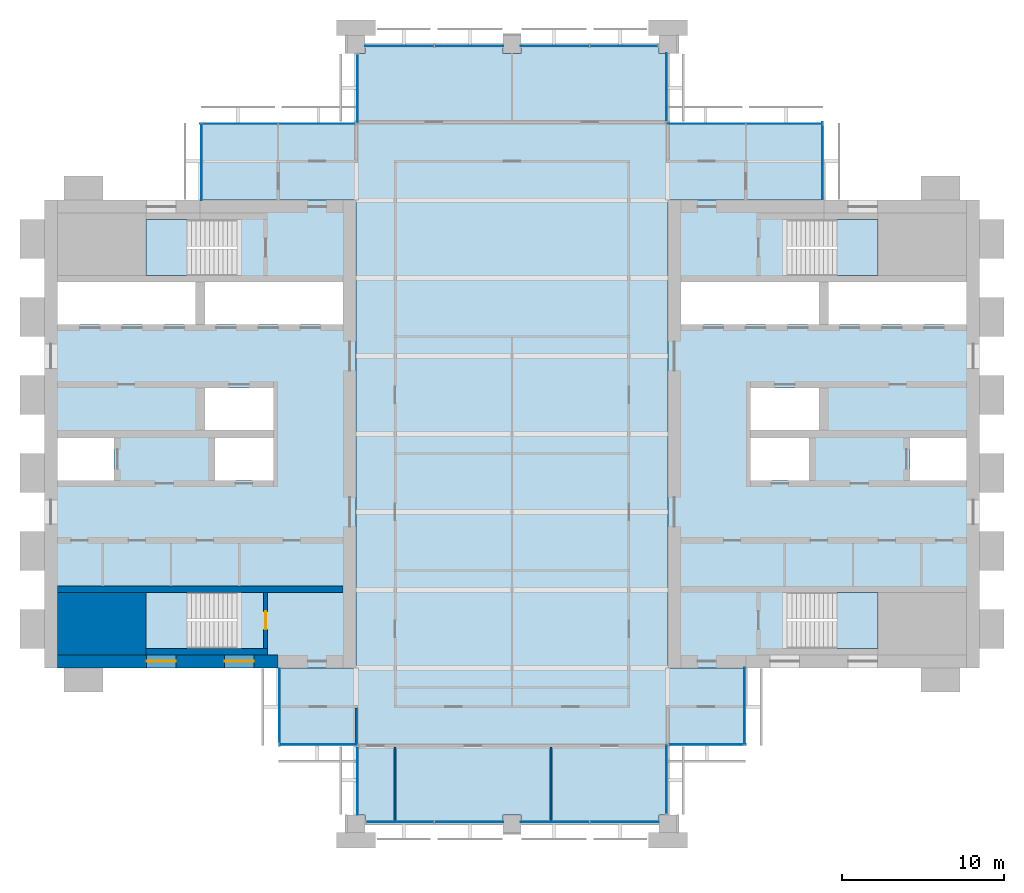
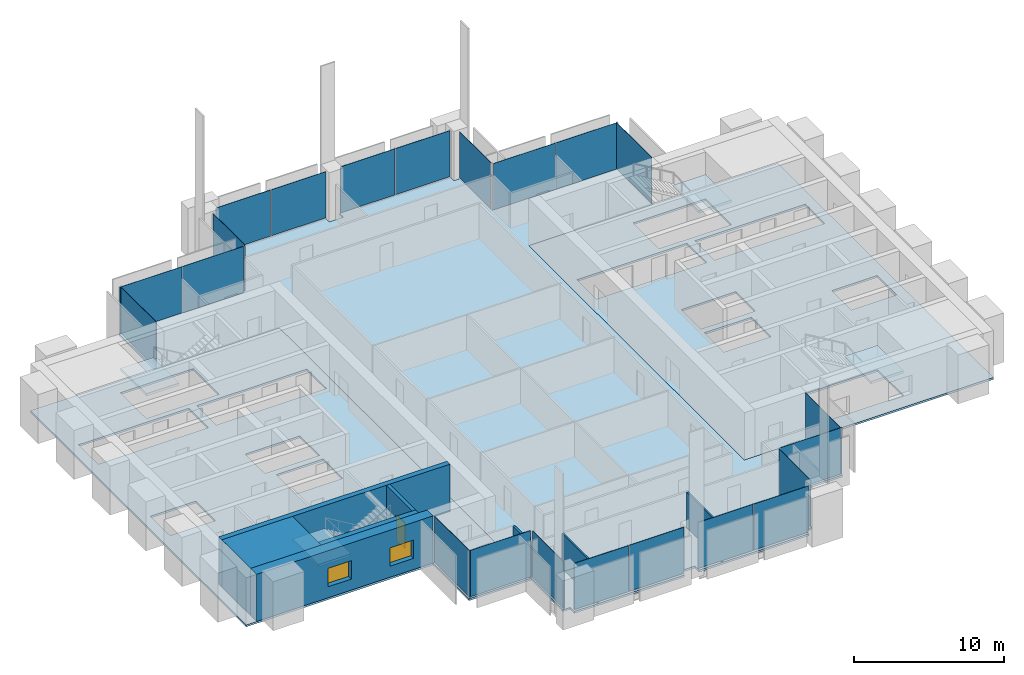
# One storey, part 7 of 13: 22 plates, 8 walls, 7 slabs, 2 windows, 1 door, 3 openings, 18 elements without a shape of their own.
"""IFC4 building model written with IfcOpenShell, lengths in metres."""

from ifc_helpers import new_model, si_unit, direction, frame, frame_2d, origin, origin_2d, place, context, subcontext, project, spatial, polyline, rectangle, outline, extrude, material, layer, layer_set, type_object, element, fill, aggregate, save


model = new_model("IFC4")

# Units and contexts
model_context = context("Model", 3, precision=1e-05, world=origin(), true_north=direction((0.0, 1.0)))
body_context = subcontext(model_context, "Body", "Model", "MODEL_VIEW")
ifc_project = project(units=[si_unit("LENGTHUNIT", "METRE"), si_unit("AREAUNIT", "SQUARE_METRE"), si_unit("VOLUMEUNIT", "CUBIC_METRE"), si_unit("PLANEANGLEUNIT", "RADIAN"), si_unit("MASSUNIT", "GRAM", prefix="KILO")], contexts=[model_context])

# Site, building, storey
site_placement = place(None, origin())
site = spatial("IfcSite", under=ifc_project, at=site_placement, CompositionType="ELEMENT")
building_placement = place(site_placement, origin())
building = spatial("IfcBuilding", under=site, at=building_placement, Name="Baori Bourse Tower", CompositionType="ELEMENT")
storey_placement = place(building_placement, frame((0.0, 0.0, 237.199951171875)))
storey = spatial("IfcBuildingStorey", under=building, at=storey_placement, Name="L52", CompositionType="ELEMENT", Elevation=237.199951171875)

# Curtain wall, plate
ifc_material_1 = material(Name="Pale anodised aluminium", Category="aluminium")
curtain_wall_type_1 = type_object("IfcCurtainWallType", Name="CW2 Curtain wall", PredefinedType="NOTDEFINED", material=ifc_material_1)
curtain_wall_1_placement = place(storey_placement, origin())
curtain_wall_1 = element("IfcCurtainWall", 1, at=curtain_wall_1_placement, inside=storey, type_object=curtain_wall_type_1, Name="Curtain wall CW2 L52 1", PredefinedType="NOTDEFINED")
ifc_material_2 = material(Name="Clear glass", Category="glass")
ifc_layer_1 = layer(ifc_material_2, 0.030029296875)
ifc_layer_set_1 = layer_set([ifc_layer_1], Name="CW2 Curtain wall panel")
plate_type_1 = type_object("IfcPlateType", Name="CW2 Curtain wall panel", PredefinedType="CURTAIN_PANEL", material=ifc_layer_set_1)
plate_1_placement = place(storey_placement, frame((47.909912109375, 40.827392578125, 0.070068359375), z_axis=(0.0, 0.0, 1.0), x_axis=(0.0, 1.0, 0.0)))
plate_1 = element("IfcPlate", 2, at=plate_1_placement, type_object=plate_type_1, Name="Curtain wall CW2 panel", PredefinedType="CURTAIN_PANEL", context=body_context, shape_type="SweptSolid", body=[
    extrude(rectangle(XDim=4.7451171875, YDim=0.030029296875, at=origin_2d()), origin(), (0.0, 0.0, 1.0), 3.77001953125),
])
aggregate(curtain_wall_1, [plate_1])

# Curtain wall, plates
curtain_wall_2_placement = place(storey_placement, origin())
curtain_wall_2 = element("IfcCurtainWall", 3, at=curtain_wall_2_placement, inside=storey, type_object=curtain_wall_type_1, Name="Curtain wall CW2 L52 2", PredefinedType="NOTDEFINED")
plate_2_placement = place(storey_placement, frame((45.586181640625, 43.110107421875, 0.070068359375), z_axis=(0.0, 0.0, 1.0), x_axis=(-1.0, 0.0, 0.0)))
plate_2 = element("IfcPlate", 4, at=plate_2_placement, type_object=plate_type_1, Name="Curtain wall CW2 panel", PredefinedType="CURTAIN_PANEL", context=body_context, shape_type="SweptSolid", body=[
    extrude(rectangle(XDim=4.717529296875, YDim=0.030029296875, at=origin_2d()), origin(), (0.0, 0.0, 1.0), 3.77001953125),
])
plate_3_placement = place(storey_placement, frame((40.7861328125, 43.110107421875, 0.070068359375), z_axis=(0.0, 0.0, 1.0), x_axis=(-1.0, 0.0, 0.0)))
plate_3 = element("IfcPlate", 5, at=plate_3_placement, type_object=plate_type_1, Name="Curtain wall CW2 panel", PredefinedType="CURTAIN_PANEL", context=body_context, shape_type="SweptSolid", body=[
    extrude(rectangle(XDim=4.7724609375, YDim=0.030029296875, at=origin_2d()), origin(), (0.0, 0.0, 1.0), 3.77001953125),
])
aggregate(curtain_wall_2, [plate_2, plate_3])

# Curtain wall, plate
curtain_wall_3_placement = place(storey_placement, origin())
curtain_wall_3 = element("IfcCurtainWall", 6, at=curtain_wall_3_placement, inside=storey, type_object=curtain_wall_type_1, Name="Curtain wall CW2 L52 3", PredefinedType="NOTDEFINED")
plate_4_placement = place(storey_placement, frame((38.31005859375, 45.3525390625, 0.070068359375), z_axis=(0.0, 0.0, 1.0), x_axis=(0.0, 1.0, 0.0)))
plate_4 = element("IfcPlate", 7, at=plate_4_placement, type_object=plate_type_1, Name="Curtain wall CW2 panel", PredefinedType="CURTAIN_PANEL", context=body_context, shape_type="SweptSolid", body=[
    extrude(rectangle(XDim=4.195068359375, YDim=0.030029296875, at=origin_2d()), origin(), (0.0, 0.0, 1.0), 3.77001953125),
])
aggregate(curtain_wall_3, [plate_4])

curtain_wall_4_placement = place(storey_placement, origin())
curtain_wall_4 = element("IfcCurtainWall", 8, at=curtain_wall_4_placement, inside=storey, type_object=curtain_wall_type_1, Name="Curtain wall CW2 L52 5", PredefinedType="NOTDEFINED")
plate_5_placement = place(storey_placement, frame((19.2900390625, 45.297607421875, 0.070068359375), z_axis=(0.0, 0.0, 1.0), x_axis=(0.0, -1.0, 0.0)))
plate_5 = element("IfcPlate", 9, at=plate_5_placement, type_object=plate_type_1, Name="Curtain wall CW2 panel", PredefinedType="CURTAIN_PANEL", context=body_context, shape_type="SweptSolid", body=[
    extrude(rectangle(XDim=4.195068359375, YDim=0.030029296875, at=origin_2d()), origin(), (0.0, 0.0, 1.0), 3.77001953125),
])
aggregate(curtain_wall_4, [plate_5])

# Curtain wall, plates
curtain_wall_5_placement = place(storey_placement, origin())
curtain_wall_5 = element("IfcCurtainWall", 10, at=curtain_wall_5_placement, inside=storey, type_object=curtain_wall_type_1, Name="Curtain wall CW2 L52 6", PredefinedType="NOTDEFINED")
plate_6_placement = place(storey_placement, frame((16.7861328125, 43.110107421875, 0.070068359375), z_axis=(0.0, 0.0, 1.0), x_axis=(-1.0, 0.0, 0.0)))
plate_6 = element("IfcPlate", 11, at=plate_6_placement, type_object=plate_type_1, Name="Curtain wall CW2 panel", PredefinedType="CURTAIN_PANEL", context=body_context, shape_type="SweptSolid", body=[
    extrude(rectangle(XDim=4.717529296875, YDim=0.030029296875, at=origin_2d()), origin(), (0.0, 0.0, 1.0), 3.77001953125),
])
plate_7_placement = place(storey_placement, frame((11.986328125, 43.110107421875, 0.070068359375), z_axis=(0.0, 0.0, 1.0), x_axis=(-1.0, 0.0, 0.0)))
plate_7 = element("IfcPlate", 12, at=plate_7_placement, type_object=plate_type_1, Name="Curtain wall CW2 panel", PredefinedType="CURTAIN_PANEL", context=body_context, shape_type="SweptSolid", body=[
    extrude(rectangle(XDim=4.7724609375, YDim=0.030029296875, at=origin_2d()), origin(), (0.0, 0.0, 1.0), 3.77001953125),
])
aggregate(curtain_wall_5, [plate_6, plate_7])

# Curtain wall, plate
curtain_wall_6_placement = place(storey_placement, origin())
curtain_wall_6 = element("IfcCurtainWall", 13, at=curtain_wall_6_placement, inside=storey, type_object=curtain_wall_type_1, Name="Curtain wall CW2 L52 7", PredefinedType="NOTDEFINED")
plate_8_placement = place(storey_placement, frame((9.68994140625, 40.7724609375, 0.070068359375), z_axis=(0.0, 0.0, 1.0), x_axis=(0.0, -1.0, 0.0)))
plate_8 = element("IfcPlate", 14, at=plate_8_placement, type_object=plate_type_1, Name="Curtain wall CW2 panel", PredefinedType="CURTAIN_PANEL", context=body_context, shape_type="SweptSolid", body=[
    extrude(rectangle(XDim=4.7451171875, YDim=0.030029296875, at=origin_2d()), origin(), (0.0, 0.0, 1.0), 3.77001953125),
])
aggregate(curtain_wall_6, [plate_8])

curtain_wall_7_placement = place(storey_placement, origin())
curtain_wall_7 = element("IfcCurtainWall", 15, at=curtain_wall_7_placement, inside=storey, type_object=curtain_wall_type_1, Name="Curtain wall CW2 L52 8", PredefinedType="NOTDEFINED")
plate_9_placement = place(storey_placement, frame((14.489990234375, 7.172607421875, 0.070068359375), z_axis=(0.0, 0.0, 1.0), x_axis=(0.0, -1.0, 0.0)))
plate_9 = element("IfcPlate", 16, at=plate_9_placement, type_object=plate_type_1, Name="Curtain wall CW2 panel", PredefinedType="CURTAIN_PANEL", context=body_context, shape_type="SweptSolid", body=[
    extrude(rectangle(XDim=4.7451171875, YDim=0.030029296875, at=origin_2d()), origin(), (0.0, 0.0, 1.0), 3.77001953125),
])
aggregate(curtain_wall_7, [plate_9])

curtain_wall_8_placement = place(storey_placement, origin())
curtain_wall_8 = element("IfcCurtainWall", 17, at=curtain_wall_8_placement, inside=storey, type_object=curtain_wall_type_1, Name="Curtain wall CW2 L52 9", PredefinedType="NOTDEFINED")
plate_10_placement = place(storey_placement, frame((16.827392578125, 4.889892578125, 0.070068359375), z_axis=(0.0, 0.0, 1.0), x_axis=(1.0, 0.0, 0.0)))
plate_10 = element("IfcPlate", 18, at=plate_10_placement, type_object=plate_type_1, Name="Curtain wall CW2 panel", PredefinedType="CURTAIN_PANEL", context=body_context, shape_type="SweptSolid", body=[
    extrude(rectangle(XDim=4.7451171875, YDim=0.030029296875, at=origin_2d()), origin(), (0.0, 0.0, 1.0), 3.77001953125),
])
aggregate(curtain_wall_8, [plate_10])

curtain_wall_9_placement = place(storey_placement, origin())
curtain_wall_9 = element("IfcCurtainWall", 19, at=curtain_wall_9_placement, inside=storey, type_object=curtain_wall_type_1, Name="Curtain wall CW2 L52 10", PredefinedType="NOTDEFINED")
plate_11_placement = place(storey_placement, frame((19.2900390625, 2.6474609375, 0.070068359375), z_axis=(0.0, 0.0, 1.0), x_axis=(0.0, -1.0, 0.0)))
plate_11 = element("IfcPlate", 20, at=plate_11_placement, type_object=plate_type_1, Name="Curtain wall CW2 panel", PredefinedType="CURTAIN_PANEL", context=body_context, shape_type="SweptSolid", body=[
    extrude(rectangle(XDim=4.195068359375, YDim=0.030029296875, at=origin_2d()), origin(), (0.0, 0.0, 1.0), 3.77001953125),
])
aggregate(curtain_wall_9, [plate_11])

curtain_wall_10_placement = place(storey_placement, origin())
curtain_wall_10 = element("IfcCurtainWall", 21, at=curtain_wall_10_placement, inside=storey, type_object=curtain_wall_type_1, Name="Curtain wall CW2 L52 12", PredefinedType="NOTDEFINED")
plate_12_placement = place(storey_placement, frame((38.31005859375, 2.702392578125, 0.070068359375), z_axis=(0.0, 0.0, 1.0), x_axis=(0.0, 1.0, 0.0)))
plate_12 = element("IfcPlate", 22, at=plate_12_placement, type_object=plate_type_1, Name="Curtain wall CW2 panel", PredefinedType="CURTAIN_PANEL", context=body_context, shape_type="SweptSolid", body=[
    extrude(rectangle(XDim=4.195068359375, YDim=0.030029296875, at=origin_2d()), origin(), (0.0, 0.0, 1.0), 3.77001953125),
])
aggregate(curtain_wall_10, [plate_12])

curtain_wall_11_placement = place(storey_placement, origin())
curtain_wall_11 = element("IfcCurtainWall", 23, at=curtain_wall_11_placement, inside=storey, type_object=curtain_wall_type_1, Name="Curtain wall CW2 L52 13", PredefinedType="NOTDEFINED")
plate_13_placement = place(storey_placement, frame((40.827392578125, 4.889892578125, 0.070068359375), z_axis=(0.0, 0.0, 1.0), x_axis=(1.0, 0.0, 0.0)))
plate_13 = element("IfcPlate", 24, at=plate_13_placement, type_object=plate_type_1, Name="Curtain wall CW2 panel", PredefinedType="CURTAIN_PANEL", context=body_context, shape_type="SweptSolid", body=[
    extrude(rectangle(XDim=4.7451171875, YDim=0.030029296875, at=origin_2d()), origin(), (0.0, 0.0, 1.0), 3.77001953125),
])
aggregate(curtain_wall_11, [plate_13])

curtain_wall_12_placement = place(storey_placement, origin())
curtain_wall_12 = element("IfcCurtainWall", 25, at=curtain_wall_12_placement, inside=storey, type_object=curtain_wall_type_1, Name="Curtain wall CW2 L52 14", PredefinedType="NOTDEFINED")
plate_14_placement = place(storey_placement, frame((43.110107421875, 7.2275390625, 0.070068359375), z_axis=(0.0, 0.0, 1.0), x_axis=(0.0, 1.0, 0.0)))
plate_14 = element("IfcPlate", 26, at=plate_14_placement, type_object=plate_type_1, Name="Curtain wall CW2 panel", PredefinedType="CURTAIN_PANEL", context=body_context, shape_type="SweptSolid", body=[
    extrude(rectangle(XDim=4.7451171875, YDim=0.030029296875, at=origin_2d()), origin(), (0.0, 0.0, 1.0), 3.77001953125),
])
aggregate(curtain_wall_12, [plate_14])

# Curtain wall, plates
ifc_material_3 = material(Name="Pale anodised aluminium", Category="aluminium")
curtain_wall_type_2 = type_object("IfcCurtainWallType", Name="CW5 Curtain wall", PredefinedType="NOTDEFINED", material=ifc_material_3)
curtain_wall_13_placement = place(storey_placement, origin())
curtain_wall_13 = element("IfcCurtainWall", 27, at=curtain_wall_13_placement, inside=storey, type_object=curtain_wall_type_2, Name="Curtain wall CW5 L52 4", PredefinedType="NOTDEFINED")
ifc_material_4 = material(Name="Clear glass", Category="glass")
ifc_layer_2 = layer(ifc_material_4, 0.035888671875)
ifc_layer_set_2 = layer_set([ifc_layer_2], Name="CW5 Curtain wall panel")
plate_type_2 = type_object("IfcPlateType", Name="CW5 Curtain wall panel", PredefinedType="CURTAIN_PANEL", material=ifc_layer_set_2)
plate_15_placement = place(storey_placement, frame((35.708740234375, 47.889892578125, 0.085205078125), z_axis=(0.0, 0.0, 1.0), x_axis=(-1.0, 0.0, 0.0)))
plate_15 = element("IfcPlate", 28, at=plate_15_placement, type_object=plate_type_2, Name="Curtain wall CW5 panel", PredefinedType="CURTAIN_PANEL", context=body_context, shape_type="SweptSolid", body=[
    extrude(rectangle(XDim=4.152587890625, YDim=0.035888671875, at=origin_2d()), origin(), (0.0, 0.0, 1.0), 3.7548828125),
])
plate_16_placement = place(storey_placement, frame((31.458740234375, 47.889892578125, 0.085205078125), z_axis=(0.0, 0.0, 1.0), x_axis=(-1.0, 0.0, 0.0)))
plate_16 = element("IfcPlate", 29, at=plate_16_placement, type_object=plate_type_2, Name="Curtain wall CW5 panel", PredefinedType="CURTAIN_PANEL", context=body_context, shape_type="SweptSolid", body=[
    extrude(rectangle(XDim=4.217529296875, YDim=0.035888671875, at=origin_2d()), origin(), (0.0, 0.0, 1.0), 3.7548828125),
])
plate_17_placement = place(storey_placement, frame((26.141357421875, 47.889892578125, 0.085205078125), z_axis=(0.0, 0.0, 1.0), x_axis=(-1.0, 0.0, 0.0)))
plate_17 = element("IfcPlate", 30, at=plate_17_placement, type_object=plate_type_2, Name="Curtain wall CW5 panel", PredefinedType="CURTAIN_PANEL", context=body_context, shape_type="SweptSolid", body=[
    extrude(rectangle(XDim=4.217529296875, YDim=0.035888671875, at=origin_2d()), origin(), (0.0, 0.0, 1.0), 3.7548828125),
])
plate_18_placement = place(storey_placement, frame((21.858642578125, 47.889892578125, 0.085205078125), z_axis=(0.0, 0.0, 1.0), x_axis=(-1.0, 0.0, 0.0)))
plate_18 = element("IfcPlate", 31, at=plate_18_placement, type_object=plate_type_2, Name="Curtain wall CW5 panel", PredefinedType="CURTAIN_PANEL", context=body_context, shape_type="SweptSolid", body=[
    extrude(rectangle(XDim=4.217529296875, YDim=0.035888671875, at=origin_2d()), origin(), (0.0, 0.0, 1.0), 3.7548828125),
])
aggregate(curtain_wall_13, [plate_15, plate_16, plate_17, plate_18])

curtain_wall_14_placement = place(storey_placement, origin())
curtain_wall_14 = element("IfcCurtainWall", 32, at=curtain_wall_14_placement, inside=storey, type_object=curtain_wall_type_2, Name="Curtain wall CW5 L52 11", PredefinedType="NOTDEFINED")
plate_19_placement = place(storey_placement, frame((21.891357421875, 0.110107421875, 0.085205078125), z_axis=(0.0, 0.0, 1.0), x_axis=(1.0, 0.0, 0.0)))
plate_19 = element("IfcPlate", 33, at=plate_19_placement, type_object=plate_type_2, Name="Curtain wall CW5 panel", PredefinedType="CURTAIN_PANEL", context=body_context, shape_type="SweptSolid", body=[
    extrude(rectangle(XDim=4.152587890625, YDim=0.035888671875, at=origin_2d()), origin(), (0.0, 0.0, 1.0), 3.7548828125),
])
plate_20_placement = place(storey_placement, frame((26.141357421875, 0.110107421875, 0.085205078125), z_axis=(0.0, 0.0, 1.0), x_axis=(1.0, 0.0, 0.0)))
plate_20 = element("IfcPlate", 34, at=plate_20_placement, type_object=plate_type_2, Name="Curtain wall CW5 panel", PredefinedType="CURTAIN_PANEL", context=body_context, shape_type="SweptSolid", body=[
    extrude(rectangle(XDim=4.217529296875, YDim=0.035888671875, at=origin_2d()), origin(), (0.0, 0.0, 1.0), 3.7548828125),
])
plate_21_placement = place(storey_placement, frame((31.458740234375, 0.110107421875, 0.085205078125), z_axis=(0.0, 0.0, 1.0), x_axis=(1.0, 0.0, 0.0)))
plate_21 = element("IfcPlate", 35, at=plate_21_placement, type_object=plate_type_2, Name="Curtain wall CW5 panel", PredefinedType="CURTAIN_PANEL", context=body_context, shape_type="SweptSolid", body=[
    extrude(rectangle(XDim=4.217529296875, YDim=0.035888671875, at=origin_2d()), origin(), (0.0, 0.0, 1.0), 3.7548828125),
])
plate_22_placement = place(storey_placement, frame((35.7412109375, 0.110107421875, 0.085205078125), z_axis=(0.0, 0.0, 1.0), x_axis=(1.0, 0.0, 0.0)))
plate_22 = element("IfcPlate", 36, at=plate_22_placement, type_object=plate_type_2, Name="Curtain wall CW5 panel", PredefinedType="CURTAIN_PANEL", context=body_context, shape_type="SweptSolid", body=[
    extrude(rectangle(XDim=4.217529296875, YDim=0.035888671875, at=origin_2d()), origin(), (0.0, 0.0, 1.0), 3.7548828125),
])
aggregate(curtain_wall_14, [plate_19, plate_20, plate_21, plate_22])

# Slabs
ifc_material_5 = material(Name="Concrete f'c 50 MPa", Category="concrete")
ifc_layer_3 = layer(ifc_material_5, 0.159912109375)
ifc_layer_set_3 = layer_set([ifc_layer_3], Name="Core slab 160")
slab_type_1 = type_object("IfcSlabType", Name="Core slab 160", PredefinedType="FLOOR", material=ifc_layer_set_3)
slab_1_placement = place(storey_placement, frame((0.0, 0.0, -0.159912109375)))
element("IfcSlab", 37, at=slab_1_placement, inside=storey, type_object=slab_type_1, Name="Core floor slab W01", PredefinedType="FLOOR", context=body_context, shape_type="SweptSolid", body=[
    extrude(outline(polyline([(19.199951171875, 38.39990234375), (0.0, 38.39990234375), (0.0, 9.60009765625), (19.199951171875, 9.60009765625), (19.199951171875, 38.39990234375)]), holes=[polyline([(9.89990234375, 33.35009765625), (18.39990234375, 33.35009765625), (18.39990234375, 30.75), (9.89990234375, 30.75), (9.89990234375, 33.35009765625)]), polyline([(10.5, 21.14990234375), (10.5, 23.75), (14.10009765625, 23.75), (14.10009765625, 21.14990234375), (10.5, 21.14990234375)]), polyline([(14.10009765625, 24.25), (9.89990234375, 24.25), (9.89990234375, 26.85009765625), (14.10009765625, 26.85009765625), (14.10009765625, 24.25)]), polyline([(6.25, 14.25), (11.84912109375, 14.25), (11.84912109375, 10.800048828125), (6.25, 10.800048828125), (6.25, 14.25)]), polyline([(11.84912109375, 37.199951171875), (11.84912109375, 33.75), (6.25, 33.75), (6.25, 37.199951171875), (11.84912109375, 37.199951171875)]), polyline([(0.800048828125, 30.75), (0.800048828125, 33.35009765625), (9.300048828125, 33.35009765625), (9.300048828125, 30.75), (0.800048828125, 30.75)]), polyline([(4.300048828125, 23.75), (4.300048828125, 21.14990234375), (0.800048828125, 21.14990234375), (0.800048828125, 23.75), (4.300048828125, 23.75)])]), origin(), (0.0, 0.0, 1.0), 0.159912109375),
])
slab_2_placement = place(storey_placement, frame((0.0, 0.0, -0.159912109375)))
element("IfcSlab", 38, at=slab_2_placement, inside=storey, type_object=slab_type_1, Name="Core floor slab E01", PredefinedType="FLOOR", context=body_context, shape_type="SweptSolid", body=[
    extrude(outline(polyline([(57.60009765625, 9.60009765625), (57.60009765625, 38.39990234375), (38.39990234375, 38.39990234375), (38.39990234375, 9.60009765625), (57.60009765625, 9.60009765625)]), holes=[polyline([(48.300048828125, 33.35009765625), (56.800048828125, 33.35009765625), (56.800048828125, 30.75), (48.300048828125, 30.75), (48.300048828125, 33.35009765625)]), polyline([(56.800048828125, 21.14990234375), (53.300048828125, 21.14990234375), (53.300048828125, 23.75), (56.800048828125, 23.75), (56.800048828125, 21.14990234375)]), polyline([(45.750732421875, 14.25), (51.35009765625, 14.25), (51.35009765625, 10.800048828125), (45.750732421875, 10.800048828125), (45.750732421875, 14.25)]), polyline([(51.35009765625, 37.199951171875), (51.35009765625, 33.75), (45.750732421875, 33.75), (45.750732421875, 37.199951171875), (51.35009765625, 37.199951171875)]), polyline([(43.5, 24.25), (43.5, 26.85009765625), (47.699951171875, 26.85009765625), (47.699951171875, 24.25), (43.5, 24.25)]), polyline([(47.699951171875, 33.35009765625), (47.699951171875, 30.75), (39.199951171875, 30.75), (39.199951171875, 33.35009765625), (47.699951171875, 33.35009765625)]), polyline([(43.5, 23.75), (47.10009765625, 23.75), (47.10009765625, 21.14990234375), (43.5, 21.14990234375), (43.5, 23.75)])]), origin(), (0.0, 0.0, 1.0), 0.159912109375),
])

# Stair, slab
ifc_material_6 = material(Name="Concrete f'c 50 MPa", Category="concrete")
stair_type = type_object("IfcStairType", Name="Core stair", PredefinedType="HALF_TURN_STAIR", material=ifc_material_6)
stair_1_placement = place(storey_placement, origin())
stair_1 = element("IfcStair", 39, at=stair_1_placement, inside=storey, type_object=stair_type, Name="L52 Stair WA", PredefinedType="HALF_TURN_STAIR")
ifc_material_7 = material(Name="Concrete f'c 50 MPa", Category="concrete")
slab_type_2 = type_object("IfcSlabType", Name="Core stair landing", PredefinedType="LANDING", material=ifc_material_7)
slab_3_placement = place(storey_placement, frame((0.0, 0.0, 1.800048828125)))
slab_3 = element("IfcSlab", 40, at=slab_3_placement, type_object=slab_type_2, Name="ST1 landing 1", PredefinedType="LANDING", context=body_context, shape_type="SweptSolid", body=[
    extrude(outline(polyline([(8.77001953125, 14.25), (6.25, 14.25), (6.25, 10.800048828125), (8.77001953125, 10.800048828125), (8.77001953125, 14.25)])), origin(), (0.0, 0.0, 1.0), 0.199951171875),
])
aggregate(stair_1, [slab_3])

stair_2_placement = place(storey_placement, origin())
stair_2 = element("IfcStair", 41, at=stair_2_placement, inside=storey, type_object=stair_type, Name="L52 Stair WB", PredefinedType="HALF_TURN_STAIR")
slab_4_placement = place(storey_placement, frame((0.0, 0.0, 1.800048828125)))
slab_4 = element("IfcSlab", 42, at=slab_4_placement, type_object=slab_type_2, Name="ST2 landing 1", PredefinedType="LANDING", context=body_context, shape_type="SweptSolid", body=[
    extrude(outline(polyline([(8.77001953125, 37.199951171875), (6.25, 37.199951171875), (6.25, 33.75), (8.77001953125, 33.75), (8.77001953125, 37.199951171875)])), origin(), (0.0, 0.0, 1.0), 0.199951171875),
])
aggregate(stair_2, [slab_4])

stair_3_placement = place(storey_placement, origin())
stair_3 = element("IfcStair", 43, at=stair_3_placement, inside=storey, type_object=stair_type, Name="L52 Stair EA", PredefinedType="HALF_TURN_STAIR")
slab_5_placement = place(storey_placement, frame((0.0, 0.0, 1.800048828125)))
slab_5 = element("IfcSlab", 44, at=slab_5_placement, type_object=slab_type_2, Name="ST3 landing 1", PredefinedType="LANDING", context=body_context, shape_type="SweptSolid", body=[
    extrude(outline(polyline([(48.830078125, 10.800048828125), (51.35009765625, 10.800048828125), (51.35009765625, 14.25), (48.830078125, 14.25), (48.830078125, 10.800048828125)])), origin(), (0.0, 0.0, 1.0), 0.199951171875),
])
aggregate(stair_3, [slab_5])

stair_4_placement = place(storey_placement, origin())
stair_4 = element("IfcStair", 45, at=stair_4_placement, inside=storey, type_object=stair_type, Name="L52 Stair EB", PredefinedType="HALF_TURN_STAIR")
slab_6_placement = place(storey_placement, frame((0.0, 0.0, 1.800048828125)))
slab_6 = element("IfcSlab", 46, at=slab_6_placement, type_object=slab_type_2, Name="ST4 landing 1", PredefinedType="LANDING", context=body_context, shape_type="SweptSolid", body=[
    extrude(outline(polyline([(48.830078125, 33.75), (51.35009765625, 33.75), (51.35009765625, 37.199951171875), (48.830078125, 37.199951171875), (48.830078125, 33.75)])), origin(), (0.0, 0.0, 1.0), 0.199951171875),
])
aggregate(stair_4, [slab_6])

# Slab
ifc_material_8 = material(Name="Concrete f'c 40 MPa", Category="concrete")
ifc_layer_4 = layer(ifc_material_8, 0.159912109375)
ifc_layer_set_4 = layer_set([ifc_layer_4], Name="Floor slab 160")
slab_type_3 = type_object("IfcSlabType", Name="Floor slab 160", PredefinedType="FLOOR", material=ifc_layer_set_4)
slab_7_placement = place(storey_placement, frame((0.0, 0.0, -0.159912109375)))
element("IfcSlab", 47, at=slab_7_placement, inside=storey, type_object=slab_type_3, Name="Floor slab L52", PredefinedType="FLOOR", context=body_context, shape_type="SweptSolid", body=[
    extrude(outline(polyline([(19.199951171875, 4.800048828125), (14.39990234375, 4.800048828125), (14.39990234375, 9.60009765625), (19.199951171875, 9.60009765625), (19.199951171875, 38.39990234375), (9.60009765625, 38.39990234375), (9.60009765625, 43.199951171875), (19.199951171875, 43.199951171875), (19.199951171875, 47.449951171875), (19.75, 47.449951171875), (19.75, 48.0), (28.25, 48.0), (28.25, 47.449951171875), (29.35009765625, 47.449951171875), (29.35009765625, 48.0), (37.85009765625, 48.0), (37.85009765625, 47.449951171875), (38.39990234375, 47.449951171875), (38.39990234375, 43.199951171875), (48.0, 43.199951171875), (48.0, 38.39990234375), (38.39990234375, 38.39990234375), (38.39990234375, 9.60009765625), (43.199951171875, 9.60009765625), (43.199951171875, 4.800048828125), (38.39990234375, 4.800048828125), (38.39990234375, 0.550048828125), (37.85009765625, 0.550048828125), (37.85009765625, 0.0), (29.35009765625, 0.0), (29.35009765625, 0.550048828125), (28.25, 0.550048828125), (28.25, 0.0), (19.75, 0.0), (19.75, 0.550048828125), (19.199951171875, 0.550048828125), (19.199951171875, 4.800048828125)])), origin(), (0.0, 0.0, 1.0), 0.159912109375),
])

# Wall
ifc_material_9 = material(Name="Concrete f'c 50 MPa", Category="concrete")
wall_type_1 = type_object("IfcWallType", Name="Core corner block f'c 50", PredefinedType="SHEAR", material=ifc_material_9)
wall_1_placement = place(storey_placement, frame((0.800048828125, 12.324951171875, 0.0), z_axis=(0.0, 0.0, 1.0), x_axis=(1.0, 0.0, 0.0)))
element("IfcWall", 48, at=wall_1_placement, inside=storey, type_object=wall_type_1, Name="Core wall W05", PredefinedType="SHEAR", context=body_context, shape_type="SweptSolid", body=[
    extrude(rectangle(XDim=5.449951171875, YDim=3.85009765625, at=frame_2d((2.72509765625, 0.0))), origin(), (0.0, 0.0, 1.0), 3.840087890625),
])

# Wall, openings, windows
ifc_material_10 = material(Name="Concrete f'c 50 MPa", Category="concrete")
ifc_layer_5 = layer(ifc_material_10, 0.800048828125)
ifc_layer_set_5 = layer_set([ifc_layer_5], Name="Core wall 800 f'c 50")
wall_type_2 = type_object("IfcWallType", Name="Core wall 800 f'c 50", PredefinedType="SHEAR", material=ifc_layer_set_5)
wall_2_placement = place(storey_placement, frame((14.39990234375, 10.0, 0.0), z_axis=(0.0, 0.0, 1.0), x_axis=(-1.0, 0.0, 0.0)))
wall_2 = element("IfcWall", 49, at=wall_2_placement, inside=storey, type_object=wall_type_2, Name="Core wall W02", PredefinedType="SHEAR", context=body_context, shape_type="SweptSolid", body=[
    extrude(rectangle(XDim=13.599853515625, YDim=0.800048828125, at=frame_2d((6.7998046875, 0.0))), origin(), (0.0, 0.0, 1.0), 3.840087890625),
])
opening_1_placement = place(wall_2_placement, frame((6.300048828125, 0.0, 0.89990234375)))
opening_1 = element("IfcOpeningElement", 50, at=opening_1_placement, cuts=wall_2, Name="Opening L52-KW103", PredefinedType="OPENING", context=body_context, shape_type="SweptSolid", body=[
    extrude(rectangle(XDim=1.800048828125, YDim=1.5, at=frame_2d((0.89990234375, 0.75))), frame((0.0, 0.409912109375, 0.0), z_axis=(0.0, -1.0, 0.0), x_axis=(1.0, 0.0, 0.0)), (0.0, 0.0, 1.0), 0.820068359375),
])
opening_2_placement = place(wall_2_placement, frame((1.5, 0.0, 0.89990234375)))
opening_2 = element("IfcOpeningElement", 51, at=opening_2_placement, cuts=wall_2, Name="Opening L52-KW104", PredefinedType="OPENING", context=body_context, shape_type="SweptSolid", body=[
    extrude(rectangle(XDim=1.800048828125, YDim=1.5, at=frame_2d((0.89990234375, 0.75))), frame((0.0, 0.409912109375, 0.0), z_axis=(0.0, -1.0, 0.0), x_axis=(1.0, 0.0, 0.0)), (0.0, 0.0, 1.0), 0.820068359375),
])
ifc_material_11 = material(Name="Pale anodised aluminium", Category="aluminium")
window_type = type_object("IfcWindowType", Name="Stair window 1800 x 1500", PartitioningType="SINGLE_PANEL", PredefinedType="WINDOW", material=ifc_material_11)
window_1_placement = place(opening_1_placement, origin())
window_1 = element("IfcWindow", 52, at=window_1_placement, inside=storey, type_object=window_type, Name="Stair window W L52 3", OverallHeight=1.5, OverallWidth=1.800048828125, PartitioningType="SINGLE_PANEL", PredefinedType="WINDOW", context=body_context, shape_type="SweptSolid", body=[
    extrude(rectangle(XDim=1.800048828125, YDim=1.5, at=frame_2d((0.89990234375, 0.75))), frame((0.0, 0.030029296875, 0.0), z_axis=(0.0, -1.0, 0.0), x_axis=(1.0, 0.0, 0.0)), (0.0, 0.0, 1.0), 0.06005859375),
])
fill(opening_1, window_1)
window_2_placement = place(opening_2_placement, origin())
window_2 = element("IfcWindow", 53, at=window_2_placement, inside=storey, type_object=window_type, Name="Stair window W L52 4", OverallHeight=1.5, OverallWidth=1.800048828125, PartitioningType="SINGLE_PANEL", PredefinedType="WINDOW", context=body_context, shape_type="SweptSolid", body=[
    extrude(rectangle(XDim=1.800048828125, YDim=1.5, at=frame_2d((0.89990234375, 0.75))), frame((0.0, 0.030029296875, 0.0), z_axis=(0.0, -1.0, 0.0), x_axis=(1.0, 0.0, 0.0)), (0.0, 0.0, 1.0), 0.06005859375),
])
fill(opening_2, window_2)

# Walls
ifc_material_12 = material(Name="Gypsum board partition")
ifc_layer_6 = layer(ifc_material_12, 0.14990234375)
ifc_layer_set_6 = layer_set([ifc_layer_6], Name="Corridor partition 150")
wall_type_3 = type_object("IfcWallType", Name="Corridor partition 150", PredefinedType="PARTITIONING", material=ifc_layer_set_6)
wall_3_placement = place(storey_placement, frame((19.199951171875, 4.875, 0.0), z_axis=(0.0, 0.0, 1.0), x_axis=(0.0, 1.0, 0.0)))
element("IfcWall", 54, at=wall_3_placement, inside=storey, type_object=wall_type_3, Name="Partition", PredefinedType="PARTITIONING", context=body_context, shape_type="SweptSolid", body=[
    extrude(rectangle(XDim=2.25, YDim=0.14990234375, at=frame_2d((1.125, 0.0))), origin(), (0.0, 0.0, 1.0), 2.869873046875),
])
ifc_material_13 = material(Name="Gypsum board partition")
ifc_layer_7 = layer(ifc_material_13, 0.125)
ifc_layer_set_7 = layer_set([ifc_layer_7], Name="Partition 125")
wall_type_4 = type_object("IfcWallType", Name="Partition 125", PredefinedType="PARTITIONING", material=ifc_layer_set_7)
for number, where, z_axis, x_axis, name in (
    (55, (21.60009765625, 0.10009765625, 0.0), (0.0, 0.0, 1.0), (0.0, 1.0, 0.0), "Partition"),
    (56, (31.199951171875, 0.10009765625, 0.0), (0.0, 0.0, 1.0), (0.0, 1.0, 0.0), "Partition"),
):
    element("IfcWall", number, at=place(storey_placement, frame(where, z_axis=z_axis, x_axis=x_axis)), inside=storey, type_object=wall_type_4, Name=name, PredefinedType="PARTITIONING", context=body_context, shape_type="SweptSolid", body=[
        extrude(rectangle(XDim=4.625, YDim=0.125, at=frame_2d((2.3125, 0.0))), origin(), (0.0, 0.0, 1.0), 2.869873046875),
    ])

# Wall, opening, door
ifc_material_14 = material(Name="Concrete f'c 50 MPa", Category="concrete")
ifc_layer_8 = layer(ifc_material_14, 0.25)
ifc_layer_set_8 = layer_set([ifc_layer_8], Name="Shaft wall 250 f'c 50")
wall_type_5 = type_object("IfcWallType", Name="Shaft wall 250 f'c 50", PredefinedType="SHEAR", material=ifc_layer_set_8)
wall_4_placement = place(storey_placement, frame((13.625, 10.800048828125, 0.0), z_axis=(0.0, 0.0, 1.0), x_axis=(0.0, 1.0, 0.0)))
wall_4 = element("IfcWall", 57, at=wall_4_placement, inside=storey, type_object=wall_type_5, Name="Core wall W07", PredefinedType="SHEAR", context=body_context, shape_type="SweptSolid", body=[
    extrude(rectangle(XDim=3.449951171875, YDim=0.25, at=frame_2d((1.72509765625, 0.0))), origin(), (0.0, 0.0, 1.0), 3.840087890625),
])
opening_3_placement = place(wall_4_placement, frame((1.175048828125, 0.0, 0.0)))
opening_3 = element("IfcOpeningElement", 58, at=opening_3_placement, cuts=wall_4, Name="Opening L52-D101", PredefinedType="OPENING", context=body_context, shape_type="SweptSolid", body=[
    extrude(rectangle(XDim=1.10009765625, YDim=2.10009765625, at=frame_2d((0.550048828125, 1.050048828125))), frame((0.0, 0.135009765625, 0.0), z_axis=(0.0, -1.0, 0.0), x_axis=(1.0, 0.0, 0.0)), (0.0, 0.0, 1.0), 0.27001953125),
])
ifc_material_15 = material(Name="Painted steel door", Category="steel")
door_type = type_object("IfcDoorType", Name="Stair door 1100", OperationType="SINGLE_SWING_LEFT", PredefinedType="DOOR", material=ifc_material_15)
door_placement = place(opening_3_placement, origin())
door = element("IfcDoor", 59, at=door_placement, inside=storey, type_object=door_type, Name="Stair door A W L52", OperationType="SINGLE_SWING_LEFT", OverallHeight=2.10009765625, OverallWidth=1.10009765625, PredefinedType="DOOR", context=body_context, shape_type="SweptSolid", body=[
    extrude(rectangle(XDim=1.10009765625, YDim=2.10009765625, at=frame_2d((0.550048828125, 1.050048828125))), frame((0.0, 0.02490234375, 0.0), z_axis=(0.0, -1.0, 0.0), x_axis=(1.0, 0.0, 0.0)), (0.0, 0.0, 1.0), 0.050048828125),
])
fill(opening_3, door)

# Walls
ifc_material_16 = material(Name="Concrete f'c 50 MPa", Category="concrete")
ifc_layer_9 = layer(ifc_material_16, 0.39990234375)
ifc_layer_set_9 = layer_set([ifc_layer_9], Name="Shaft wall 400 f'c 50")
wall_type_6 = type_object("IfcWallType", Name="Shaft wall 400 f'c 50", PredefinedType="SHEAR", material=ifc_layer_set_9)
wall_5_placement = place(storey_placement, frame((6.25, 10.60009765625, 0.0), z_axis=(0.0, 0.0, 1.0), x_axis=(1.0, 0.0, 0.0)))
element("IfcWall", 60, at=wall_5_placement, inside=storey, type_object=wall_type_6, Name="Core wall W06", PredefinedType="SHEAR", context=body_context, shape_type="SweptSolid", body=[
    extrude(rectangle(XDim=7.5, YDim=0.39990234375, at=frame_2d((3.75, 0.0))), origin(), (0.0, 0.0, 1.0), 3.840087890625),
])
wall_6_placement = place(storey_placement, frame((0.800048828125, 14.449951171875, 0.0), z_axis=(0.0, 0.0, 1.0), x_axis=(1.0, 0.0, 0.0)))
element("IfcWall", 61, at=wall_6_placement, inside=storey, type_object=wall_type_6, Name="Core wall W08", PredefinedType="SHEAR", context=body_context, shape_type="SweptSolid", body=[
    extrude(rectangle(XDim=17.599853515625, YDim=0.39990234375, at=frame_2d((8.7998046875, 0.0))), origin(), (0.0, 0.0, 1.0), 3.840087890625),
])

save(model, "model.ifc")
